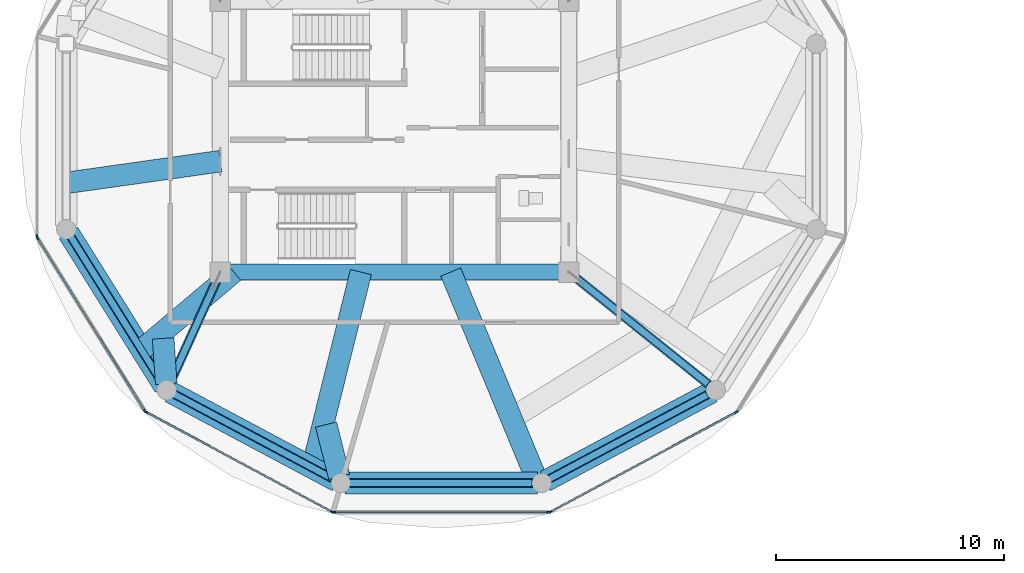
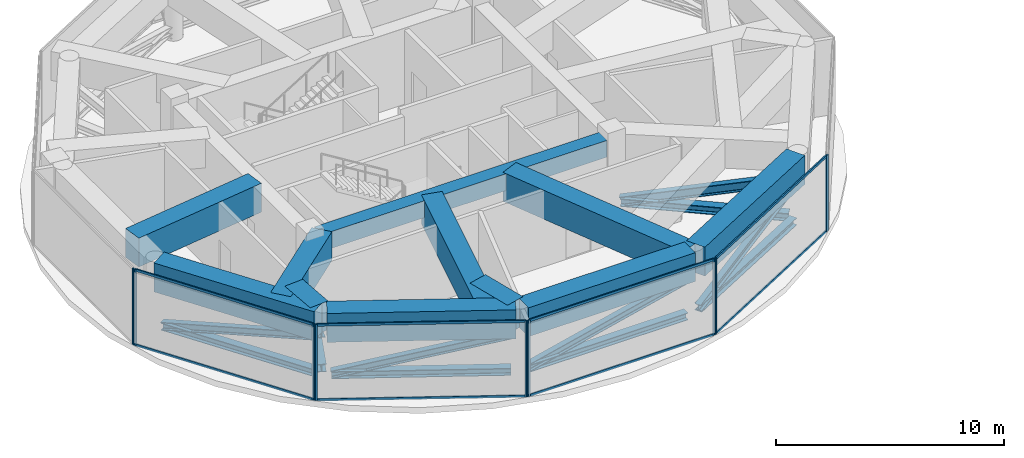
# One storey, part 2 of 23: 29 members, 11 beams, 5 elements without a shape of their own.
"""IFC4 building model written with IfcOpenShell, lengths in metres."""

from ifc_helpers import new_model, si_unit, direction, frame, origin, origin_2d, place, context, subcontext, project, spatial, rectangle, i_section, extrude, source, transform, mapped, material, layer, layer_set, material_profile, profile_set, type_object, type_shapes, element, aggregate, save


model = new_model("IFC4")

# Units and contexts
model_context = context("Model", 3, precision=1e-05, world=origin(), true_north=direction((0.0, 1.0)))
body_context = subcontext(model_context, "Body", "Model", "MODEL_VIEW")
ifc_project = project(units=[si_unit("LENGTHUNIT", "METRE"), si_unit("AREAUNIT", "SQUARE_METRE"), si_unit("VOLUMEUNIT", "CUBIC_METRE"), si_unit("PLANEANGLEUNIT", "RADIAN"), si_unit("MASSUNIT", "GRAM", prefix="KILO")], contexts=[model_context])

# Site, building, storey
site_placement = place(None, origin())
site = spatial("IfcSite", under=ifc_project, at=site_placement, CompositionType="ELEMENT")
building_placement = place(site_placement, origin())
building = spatial("IfcBuilding", under=site, at=building_placement, Name="Norrkilde Senior Care Towers", CompositionType="ELEMENT")
storey_placement = place(building_placement, frame((0.0, 0.0, 129.800048828125)))
storey = spatial("IfcBuildingStorey", under=building, at=storey_placement, Name="L40", CompositionType="ELEMENT", Elevation=129.800048828125)

# Beams
ifc_material_1 = material(Name="Concrete C60/75", Category="concrete")
ifc_material_profile_1 = material_profile(ifc_material_1, rectangle(XDim=0.699951171875, YDim=0.89990234375, at=origin_2d()), Name="RC BM 700x900")
ifc_profile_set_1 = profile_set([ifc_material_profile_1], Name="Concrete C60/75")
beam_type_1 = type_object("IfcBeamType", Name="Core Coupling Girder 700x900", PredefinedType="USERDEFINED", material=ifc_profile_set_1)
shared_shape_1 = source(origin(), body_context, "Body", "SweptSolid", [
    extrude(rectangle(XDim=0.699951171875, YDim=0.89990234375, at=origin_2d()), origin(), (0.0, 0.0, 1.0), 14.43994140625),
])
type_shapes(beam_type_1, [shared_shape_1])
beam_1_placement = place(storey_placement, frame((-35.219970703125, -5.949951171875, 3.6298828125), z_axis=(1.0, 0.0, 0.0), x_axis=(0.0, 1.0, 0.0)))
element("IfcBeam", 1, at=beam_1_placement, inside=storey, type_object=beam_type_1, Name="L40 Core W S Coupling Girder", ObjectType="GIRDER", PredefinedType="USERDEFINED", context=body_context, shape_type="MappedRepresentation", body=[
    mapped(shared_shape_1, transform((0.0, 0.0, 0.0), x_axis=(1.0, 0.0, 0.0), y_axis=(0.0, 1.0, 0.0), z_axis=(0.0, 0.0, 1.0), scale=1.0)),
])
ifc_material_profile_2 = material_profile(ifc_material_1, rectangle(XDim=0.949951171875, YDim=1.550048828125, at=origin_2d()), Name="RC TG 950x1550")
ifc_profile_set_2 = profile_set([ifc_material_profile_2], Name="Concrete C60/75")
beam_type_2 = type_object("IfcBeamType", Name="Transfer Girder Zone Shift 950x1550", PredefinedType="USERDEFINED", material=ifc_profile_set_2)
shared_shape_2 = source(origin(), body_context, "Body", "SweptSolid", [
    extrude(rectangle(XDim=0.949951171875, YDim=1.550048828125, at=origin_2d()), origin(), (0.0, 0.0, 1.0), 8.302490234375),
])
for number, where, z_axis, x_axis, name in (
    (2, (-37.847412109375, -11.2216796875, 3.304931640625), (0.882355383182, -0.470583656504, 0.0), (0.470583656504, 0.882355383182, 0.0), "L40 Drum W Zone Ring Transfer Girder 08"),
    (3, (-21.37841796875, -15.128662109375, 3.304931640625), (0.882355383182, 0.470583656504, 0.0), (-0.470583656504, 0.882355383182, 0.0), "L40 Drum W Zone Ring Transfer Girder 10"),
):
    element("IfcBeam", number, at=place(storey_placement, frame(where, z_axis=z_axis, x_axis=x_axis)), inside=storey, type_object=beam_type_2, Name=name, ObjectType="GIRDER", PredefinedType="USERDEFINED", context=body_context, shape_type="MappedRepresentation", body=[
        mapped(shared_shape_2, transform((0.0, 0.0, 0.0), x_axis=(1.0, 0.0, 0.0), y_axis=(0.0, 1.0, 0.0), z_axis=(0.0, 0.0, 1.0), scale=1.0)),
    ])
shared_shape_3 = source(origin(), body_context, "Body", "SweptSolid", [
    extrude(rectangle(XDim=0.949951171875, YDim=1.550048828125, at=origin_2d()), origin(), (0.0, 0.0, 1.0), 8.4658203125),
])
beam_2_placement = place(storey_placement, frame((-30.182861328125, -15.21337890625, 3.304931640625), z_axis=(1.0, 0.0, 0.0), x_axis=(0.0, 1.0, 0.0)))
element("IfcBeam", 4, at=beam_2_placement, inside=storey, type_object=beam_type_2, Name="L40 Drum W Zone Ring Transfer Girder 09", ObjectType="GIRDER", PredefinedType="USERDEFINED", context=body_context, shape_type="MappedRepresentation", body=[
    mapped(shared_shape_3, transform((0.0, 0.0, 0.0), x_axis=(1.0, 0.0, 0.0), y_axis=(0.0, 1.0, 0.0), z_axis=(0.0, 0.0, 1.0), scale=1.0)),
])
shared_shape_4 = source(origin(), body_context, "Body", "SweptSolid", [
    extrude(rectangle(XDim=0.949951171875, YDim=1.550048828125, at=origin_2d()), origin(), (0.0, 0.0, 1.0), 7.96630859375),
])
beam_3_placement = place(storey_placement, frame((-42.32373046875, -4.22900390625, 3.304931640625), z_axis=(0.530004449515, -0.847994860535, 0.0), x_axis=(0.847994860535, 0.530004449515, 0.0)))
element("IfcBeam", 5, at=beam_3_placement, inside=storey, type_object=beam_type_2, Name="L40 Drum W Zone Ring Transfer Girder 07", ObjectType="GIRDER", PredefinedType="USERDEFINED", context=body_context, shape_type="MappedRepresentation", body=[
    mapped(shared_shape_4, transform((0.0, 0.0, 0.0), x_axis=(1.0, 0.0, 0.0), y_axis=(0.0, 1.0, 0.0), z_axis=(0.0, 0.0, 1.0), scale=1.0)),
])
shared_shape_5 = source(origin(), body_context, "Body", "SweptSolid", [
    extrude(rectangle(XDim=0.949951171875, YDim=1.550048828125, at=origin_2d()), origin(), (0.0, 0.0, 1.0), 6.836181640625),
])
beam_4_placement = place(storey_placement, frame((-35.64990234375, -1.079833984375, 3.304931640625), z_axis=(-0.990187355889, -0.139746199365, 0.0), x_axis=(0.139746199365, -0.990187355889, 0.0)))
element("IfcBeam", 6, at=beam_4_placement, inside=storey, type_object=beam_type_2, Name="L40 Drum W Zone Transfer Girder 07", ObjectType="GIRDER", PredefinedType="USERDEFINED", context=body_context, shape_type="MappedRepresentation", body=[
    mapped(shared_shape_5, transform((0.0, 0.0, 0.0), x_axis=(1.0, 0.0, 0.0), y_axis=(0.0, 1.0, 0.0), z_axis=(0.0, 0.0, 1.0), scale=1.0)),
])
shared_shape_6 = source(origin(), body_context, "Body", "SweptSolid", [
    extrude(rectangle(XDim=0.949951171875, YDim=1.550048828125, at=origin_2d()), origin(), (0.0, 0.0, 1.0), 5.302001953125),
])
beam_5_placement = place(storey_placement, frame((-35.058349609375, -5.949951171875, 3.304931640625), z_axis=(-0.764555247577, -0.644558200167, 0.0), x_axis=(0.644558200167, -0.764555247577, 0.0)))
element("IfcBeam", 7, at=beam_5_placement, inside=storey, type_object=beam_type_2, Name="L40 Drum W Zone Transfer Girder 08", ObjectType="GIRDER", PredefinedType="USERDEFINED", context=body_context, shape_type="MappedRepresentation", body=[
    mapped(shared_shape_6, transform((0.0, 0.0, 0.0), x_axis=(1.0, 0.0, 0.0), y_axis=(0.0, 1.0, 0.0), z_axis=(0.0, 0.0, 1.0), scale=1.0)),
])
shared_shape_7 = source(origin(), body_context, "Body", "SweptSolid", [
    extrude(rectangle(XDim=0.949951171875, YDim=1.550048828125, at=origin_2d()), origin(), (0.0, 0.0, 1.0), 1.99951171875),
])
beam_6_placement = place(storey_placement, frame((-38.163330078125, -8.863037109375, 3.304931640625), z_axis=(0.068990670425, -0.99761730508, 0.0), x_axis=(0.99761730508, 0.068990670425, 0.0)))
element("IfcBeam", 8, at=beam_6_placement, inside=storey, type_object=beam_type_2, Name="L40 Drum W Zone Star Transfer Tie 08", ObjectType="GIRDER", PredefinedType="USERDEFINED", context=body_context, shape_type="MappedRepresentation", body=[
    mapped(shared_shape_7, transform((0.0, 0.0, 0.0), x_axis=(1.0, 0.0, 0.0), y_axis=(0.0, 1.0, 0.0), z_axis=(0.0, 0.0, 1.0), scale=1.0)),
])
shared_shape_8 = source(origin(), body_context, "Body", "SweptSolid", [
    extrude(rectangle(XDim=0.949951171875, YDim=1.550048828125, at=origin_2d()), origin(), (0.0, 0.0, 1.0), 8.8564453125),
])
beam_7_placement = place(storey_placement, frame((-29.4794921875, -5.949951171875, 3.304931640625), z_axis=(-0.241316026842, -0.970446585439, 0.0), x_axis=(0.970446585439, -0.241316026842, 0.0)))
element("IfcBeam", 9, at=beam_7_placement, inside=storey, type_object=beam_type_2, Name="L40 Drum W Zone Transfer Girder 09", ObjectType="GIRDER", PredefinedType="USERDEFINED", context=body_context, shape_type="MappedRepresentation", body=[
    mapped(shared_shape_8, transform((0.0, 0.0, 0.0), x_axis=(1.0, 0.0, 0.0), y_axis=(0.0, 1.0, 0.0), z_axis=(0.0, 0.0, 1.0), scale=1.0)),
])
shared_shape_9 = source(origin(), body_context, "Body", "SweptSolid", [
    extrude(rectangle(XDim=0.949951171875, YDim=1.550048828125, at=origin_2d()), origin(), (0.0, 0.0, 1.0), 2.366455078125),
])
beam_8_placement = place(storey_placement, frame((-31.009033203125, -12.64697265625, 3.304931640625), z_axis=(0.244185875604, -0.969728445574, 0.0), x_axis=(0.969728445574, 0.244185875604, 0.0)))
element("IfcBeam", 10, at=beam_8_placement, inside=storey, type_object=beam_type_2, Name="L40 Drum W Zone Star Transfer Tie 09", ObjectType="GIRDER", PredefinedType="USERDEFINED", context=body_context, shape_type="MappedRepresentation", body=[
    mapped(shared_shape_9, transform((0.0, 0.0, 0.0), x_axis=(1.0, 0.0, 0.0), y_axis=(0.0, 1.0, 0.0), z_axis=(0.0, 0.0, 1.0), scale=1.0)),
])
shared_shape_10 = source(origin(), body_context, "Body", "SweptSolid", [
    extrude(rectangle(XDim=0.949951171875, YDim=1.550048828125, at=origin_2d()), origin(), (0.0, 0.0, 1.0), 10.027099609375),
])
type_shapes(beam_type_2, [shared_shape_2, shared_shape_3, shared_shape_4, shared_shape_5, shared_shape_6, shared_shape_7, shared_shape_8, shared_shape_9, shared_shape_10])
beam_9_placement = place(storey_placement, frame((-25.534912109375, -5.949951171875, 3.304931640625), z_axis=(0.382756062331, -0.923849444849, 0.0), x_axis=(0.923849444849, 0.382756062331, 0.0)))
element("IfcBeam", 11, at=beam_9_placement, inside=storey, type_object=beam_type_2, Name="L40 Drum W Zone Transfer Girder 10", ObjectType="GIRDER", PredefinedType="USERDEFINED", context=body_context, shape_type="MappedRepresentation", body=[
    mapped(shared_shape_10, transform((0.0, 0.0, 0.0), x_axis=(1.0, 0.0, 0.0), y_axis=(0.0, 1.0, 0.0), z_axis=(0.0, 0.0, 1.0), scale=1.0)),
])

# Members
ifc_material_2 = material(Name="Steel S355", Category="steel")
ifc_material_profile_3 = material_profile(ifc_material_2, i_section(OverallWidth=0.300048828125, OverallDepth=0.39990234375, WebThickness=0.013427734375, FlangeThickness=0.02392578125, FilletRadius=0.027099609375, at=origin_2d()), Name="HEB 400")
ifc_profile_set_3 = profile_set([ifc_material_profile_3], Name="Steel S355")
member_type_1 = type_object("IfcMemberType", Name="Belt Truss Diagonal HEB400", PredefinedType="BRACE", material=ifc_profile_set_3)
shared_shape_11 = source(origin(), body_context, "Body", "SweptSolid", [
    extrude(i_section(OverallWidth=0.300048828125, OverallDepth=0.39990234375, WebThickness=0.013427734375, FlangeThickness=0.02392578125, FilletRadius=0.027099609375, at=origin_2d()), origin(), (0.0, 0.0, 1.0), 7.798828125),
])
member_1_placement = place(storey_placement, frame((-42.215087890625, -4.40283203125, 0.550048828125), z_axis=(0.513520239082, -0.821619860701, 0.247462660933), x_axis=(0.847994673706, 0.530004748437, 0.0)))
element("IfcMember", 12, at=member_1_placement, inside=storey, type_object=member_type_1, Name="L40 Drum W Belt Truss Diagonal 07", PredefinedType="BRACE", context=body_context, shape_type="MappedRepresentation", body=[
    mapped(shared_shape_11, transform((0.0, 0.0, 0.0), x_axis=(1.0, 0.0, 0.0), y_axis=(0.0, 1.0, 0.0), z_axis=(0.0, 0.0, 1.0), scale=1.0)),
])
ifc_material_profile_4 = material_profile(ifc_material_2, i_section(OverallWidth=0.3740234375, OverallDepth=0.386962890625, WebThickness=0.01611328125, FlangeThickness=0.027099609375, FilletRadius=0.014892578125, at=origin_2d()), Name="HD 360x262")
ifc_profile_set_4 = profile_set([ifc_material_profile_4], Name="Steel S355")
member_type_2 = type_object("IfcMemberType", Name="Belt Truss Ring Chord HD360x262", PredefinedType="CHORD", material=ifc_profile_set_4)
shared_shape_12 = source(origin(), body_context, "Body", "SweptSolid", [
    extrude(i_section(OverallWidth=0.3740234375, OverallDepth=0.386962890625, WebThickness=0.01611328125, FlangeThickness=0.027099609375, FilletRadius=0.014892578125, at=origin_2d()), origin(), (0.0, 0.0, 1.0), 7.892333984375),
])
for number, where, z_axis, x_axis, name in (
    (13, (-37.66650390625, -11.318115234375, 0.550048828125), (0.882350372282, -0.47059305194, 0.0), (0.47059305194, 0.882350372282, 0.0), "L40 Drum W Belt Truss Bottom Chord 08"),
    (14, (-21.197509765625, -15.0322265625, 0.550048828125), (0.882350372282, 0.47059305194, 0.0), (-0.47059305194, 0.882350372282, 0.0), "L40 Drum W Belt Truss Bottom Chord 10"),
):
    element("IfcMember", number, at=place(storey_placement, frame(where, z_axis=z_axis, x_axis=x_axis)), inside=storey, type_object=member_type_2, Name=name, PredefinedType="CHORD", context=body_context, shape_type="MappedRepresentation", body=[
        mapped(shared_shape_12, transform((0.0, 0.0, 0.0), x_axis=(1.0, 0.0, 0.0), y_axis=(0.0, 1.0, 0.0), z_axis=(0.0, 0.0, 1.0), scale=1.0)),
    ])
shared_shape_13 = source(origin(), body_context, "Body", "SweptSolid", [
    extrude(i_section(OverallWidth=0.300048828125, OverallDepth=0.39990234375, WebThickness=0.013427734375, FlangeThickness=0.02392578125, FilletRadius=0.027099609375, at=origin_2d()), origin(), (0.0, 0.0, 1.0), 8.125),
])
for number, where, z_axis, x_axis, name in (
    (15, (-37.66650390625, -11.318115234375, 0.550048828125), (0.85709731652, -0.457124578468, 0.237531702675), (0.47059305194, 0.882350372282, 0.0), "L40 Drum W Belt Truss Diagonal 08"),
    (16, (-21.197509765625, -15.0322265625, 0.550048828125), (0.85709731652, 0.457124578468, 0.237531702675), (-0.47059305194, 0.882350372282, 0.0), "L40 Drum W Belt Truss Diagonal 10"),
):
    element("IfcMember", number, at=place(storey_placement, frame(where, z_axis=z_axis, x_axis=x_axis)), inside=storey, type_object=member_type_1, Name=name, PredefinedType="BRACE", context=body_context, shape_type="MappedRepresentation", body=[
        mapped(shared_shape_13, transform((0.0, 0.0, 0.0), x_axis=(1.0, 0.0, 0.0), y_axis=(0.0, 1.0, 0.0), z_axis=(0.0, 0.0, 1.0), scale=1.0)),
    ])
shared_shape_14 = source(origin(), body_context, "Body", "SweptSolid", [
    extrude(i_section(OverallWidth=0.3740234375, OverallDepth=0.386962890625, WebThickness=0.01611328125, FlangeThickness=0.027099609375, FilletRadius=0.014892578125, at=origin_2d()), origin(), (0.0, 0.0, 1.0), 8.0556640625),
])
member_2_placement = place(storey_placement, frame((-29.977783203125, -15.21337890625, 0.550048828125), z_axis=(1.0, 0.0, 0.0), x_axis=(0.0, 1.0, 0.0)))
element("IfcMember", 17, at=member_2_placement, inside=storey, type_object=member_type_2, Name="L40 Drum W Belt Truss Bottom Chord 09", PredefinedType="CHORD", context=body_context, shape_type="MappedRepresentation", body=[
    mapped(shared_shape_14, transform((0.0, 0.0, 0.0), x_axis=(1.0, 0.0, 0.0), y_axis=(0.0, 1.0, 0.0), z_axis=(0.0, 0.0, 1.0), scale=1.0)),
])
shared_shape_15 = source(origin(), body_context, "Body", "SweptSolid", [
    extrude(i_section(OverallWidth=0.300048828125, OverallDepth=0.39990234375, WebThickness=0.013427734375, FlangeThickness=0.02392578125, FilletRadius=0.027099609375, at=origin_2d()), origin(), (0.0, 0.0, 1.0), 8.28369140625),
])
type_shapes(member_type_1, [shared_shape_11, shared_shape_13, shared_shape_15])
member_3_placement = place(storey_placement, frame((-29.977783203125, -15.21337890625, 0.550048828125), z_axis=(0.972481125687, 0.0, 0.232981673492), x_axis=(0.0, 1.0, 0.0)))
element("IfcMember", 18, at=member_3_placement, inside=storey, type_object=member_type_1, Name="L40 Drum W Belt Truss Diagonal 09", PredefinedType="BRACE", context=body_context, shape_type="MappedRepresentation", body=[
    mapped(shared_shape_15, transform((0.0, 0.0, 0.0), x_axis=(1.0, 0.0, 0.0), y_axis=(0.0, 1.0, 0.0), z_axis=(0.0, 0.0, 1.0), scale=1.0)),
])
shared_shape_16 = source(origin(), body_context, "Body", "SweptSolid", [
    extrude(i_section(OverallWidth=0.3740234375, OverallDepth=0.386962890625, WebThickness=0.01611328125, FlangeThickness=0.027099609375, FilletRadius=0.014892578125, at=origin_2d()), origin(), (0.0, 0.0, 1.0), 7.556396484375),
])
type_shapes(member_type_2, [shared_shape_12, shared_shape_14, shared_shape_16])
member_4_placement = place(storey_placement, frame((-42.215087890625, -4.40283203125, 0.550048828125), z_axis=(0.530004748437, -0.847994673706, 0.0), x_axis=(0.847994673706, 0.530004748437, 0.0)))
element("IfcMember", 19, at=member_4_placement, inside=storey, type_object=member_type_2, Name="L40 Drum W Belt Truss Bottom Chord 07", PredefinedType="CHORD", context=body_context, shape_type="MappedRepresentation", body=[
    mapped(shared_shape_16, transform((0.0, 0.0, 0.0), x_axis=(1.0, 0.0, 0.0), y_axis=(0.0, 1.0, 0.0), z_axis=(0.0, 0.0, 1.0), scale=1.0)),
])
ifc_material_profile_5 = material_profile(ifc_material_2, i_section(OverallWidth=0.402099609375, OverallDepth=0.419921875, WebThickness=0.02001953125, FlangeThickness=0.032958984375, FilletRadius=0.014892578125, at=origin_2d()), Name="HD 400x347")
ifc_profile_set_5 = profile_set([ifc_material_profile_5], Name="Steel S355")
member_type_3 = type_object("IfcMemberType", Name="Outrigger Truss Chord HD400x347", PredefinedType="CHORD", material=ifc_profile_set_5)
shared_shape_17 = source(origin(), body_context, "Body", "SweptSolid", [
    extrude(i_section(OverallWidth=0.402099609375, OverallDepth=0.419921875, WebThickness=0.02001953125, FlangeThickness=0.032958984375, FilletRadius=0.014892578125, at=origin_2d()), origin(), (0.0, 0.0, 1.0), 4.902099609375),
])
member_5_placement = place(storey_placement, frame((-35.819580078125, -6.3232421875, 0.550048828125), z_axis=(-0.413574036598, -0.910470491697, 0.0), x_axis=(0.910470491697, -0.413574036598, 0.0)))
element("IfcMember", 20, at=member_5_placement, inside=storey, type_object=member_type_3, Name="L40 Drum W Outrigger Chord 1", PredefinedType="CHORD", context=body_context, shape_type="MappedRepresentation", body=[
    mapped(shared_shape_17, transform((0.0, 0.0, 0.0), x_axis=(1.0, 0.0, 0.0), y_axis=(0.0, 1.0, 0.0), z_axis=(0.0, 0.0, 1.0), scale=1.0)),
])
ifc_material_profile_6 = material_profile(ifc_material_2, i_section(OverallWidth=0.300048828125, OverallDepth=0.5, WebThickness=0.014404296875, FlangeThickness=0.028076171875, FilletRadius=0.027099609375, at=origin_2d()), Name="HEB 500")
ifc_profile_set_6 = profile_set([ifc_material_profile_6], Name="Steel S355")
member_type_4 = type_object("IfcMemberType", Name="Outrigger Truss Diagonal HEB500", PredefinedType="BRACE", material=ifc_profile_set_6)
shared_shape_18 = source(origin(), body_context, "Body", "SweptSolid", [
    extrude(i_section(OverallWidth=0.300048828125, OverallDepth=0.5, WebThickness=0.014404296875, FlangeThickness=0.028076171875, FilletRadius=0.027099609375, at=origin_2d()), origin(), (0.0, 0.0, 1.0), 5.268310546875),
])
member_6_placement = place(storey_placement, frame((-35.819580078125, -6.3232421875, 0.550048828125), z_axis=(-0.384823878835, -0.847177905707, 0.36633342512), x_axis=(0.910470491697, -0.413574036598, 0.0)))
element("IfcMember", 21, at=member_6_placement, inside=storey, type_object=member_type_4, Name="L40 Drum W Outrigger Diagonal 1", PredefinedType="BRACE", context=body_context, shape_type="MappedRepresentation", body=[
    mapped(shared_shape_18, transform((0.0, 0.0, 0.0), x_axis=(1.0, 0.0, 0.0), y_axis=(0.0, 1.0, 0.0), z_axis=(0.0, 0.0, 1.0), scale=1.0)),
])
shared_shape_19 = source(origin(), body_context, "Body", "SweptSolid", [
    extrude(i_section(OverallWidth=0.402099609375, OverallDepth=0.419921875, WebThickness=0.02001953125, FlangeThickness=0.032958984375, FilletRadius=0.014892578125, at=origin_2d()), origin(), (0.0, 0.0, 1.0), 7.486572265625),
])
type_shapes(member_type_3, [shared_shape_17, shared_shape_19])
member_7_placement = place(storey_placement, frame((-20.0302734375, -6.206787109375, 0.550048828125), z_axis=(0.779575464722, -0.626308306511, 0.0), x_axis=(0.626308306511, 0.779575464722, 0.0)))
element("IfcMember", 22, at=member_7_placement, inside=storey, type_object=member_type_3, Name="L40 Drum W Outrigger Chord 2", PredefinedType="CHORD", context=body_context, shape_type="MappedRepresentation", body=[
    mapped(shared_shape_19, transform((0.0, 0.0, 0.0), x_axis=(1.0, 0.0, 0.0), y_axis=(0.0, 1.0, 0.0), z_axis=(0.0, 0.0, 1.0), scale=1.0)),
])
shared_shape_20 = source(origin(), body_context, "Body", "SweptSolid", [
    extrude(i_section(OverallWidth=0.300048828125, OverallDepth=0.5, WebThickness=0.014404296875, FlangeThickness=0.028076171875, FilletRadius=0.027099609375, at=origin_2d()), origin(), (0.0, 0.0, 1.0), 7.7314453125),
])
type_shapes(member_type_4, [shared_shape_18, shared_shape_20])
member_8_placement = place(storey_placement, frame((-20.0302734375, -6.206787109375, 0.550048828125), z_axis=(0.754896761512, -0.60648151935, 0.249621806231), x_axis=(0.626308306511, 0.779575464722, 0.0)))
element("IfcMember", 23, at=member_8_placement, inside=storey, type_object=member_type_4, Name="L40 Drum W Outrigger Diagonal 2", PredefinedType="BRACE", context=body_context, shape_type="MappedRepresentation", body=[
    mapped(shared_shape_20, transform((0.0, 0.0, 0.0), x_axis=(1.0, 0.0, 0.0), y_axis=(0.0, 1.0, 0.0), z_axis=(0.0, 0.0, 1.0), scale=1.0)),
])

# Curtain wall, member
ifc_material_3 = material(Name="Triple Low-E Insulated Glazing", Category="glass")
ifc_layer = layer(ifc_material_3, 0.18505859375)
ifc_layer_set = layer_set([ifc_layer], Name="Triple Low-E Insulated Glazing")
curtain_wall_type = type_object("IfcCurtainWallType", Name="CW6 Zone 4 Crown Pavilion Curtain Wall", PredefinedType="NOTDEFINED", material=ifc_layer_set)
curtain_wall_1_placement = place(storey_placement, origin())
curtain_wall_1 = element("IfcCurtainWall", 24, at=curtain_wall_1_placement, inside=storey, type_object=curtain_wall_type, Name="L40 Drum W Curtain Wall 05", PredefinedType="NOTDEFINED")
ifc_material_4 = material(Name="Anodised Aluminium", Category="aluminium")
ifc_material_profile_7 = material_profile(ifc_material_4, rectangle(XDim=0.070068359375, YDim=0.169921875, at=origin_2d()), Name="ALU MULL 70x170")
ifc_profile_set_7 = profile_set([ifc_material_profile_7], Name="Anodised Aluminium")
member_type_5 = type_object("IfcMemberType", Name="Curtain Wall Mullion Heavy 70x170", PredefinedType="MULLION", material=ifc_profile_set_7)
shared_shape_21 = source(origin(), body_context, "Body", "SweptSolid", [
    extrude(rectangle(XDim=0.070068359375, YDim=0.169921875, at=origin_2d()), origin(), (0.0, 0.0, 1.0), 4.079833984375),
])
type_shapes(member_type_5, [shared_shape_21])
member_9_placement = place(storey_placement, frame((-43.70361328125, -4.3857421875, 0.0), z_axis=(0.0, 0.0, 1.0), x_axis=(-1.0, 0.0, 0.0)))
member_9 = element("IfcMember", 25, at=member_9_placement, type_object=member_type_5, Name="CW-6 mullion 1", PredefinedType="MULLION", context=body_context, shape_type="MappedRepresentation", body=[
    mapped(shared_shape_21, transform((0.0, 0.0, 0.0), x_axis=(1.0, 0.0, 0.0), y_axis=(0.0, 1.0, 0.0), z_axis=(0.0, 0.0, 1.0), scale=1.0)),
])
aggregate(curtain_wall_1, [member_9])

# Curtain wall, members
curtain_wall_2_placement = place(storey_placement, origin())
curtain_wall_2 = element("IfcCurtainWall", 26, at=curtain_wall_2_placement, inside=storey, type_object=curtain_wall_type, Name="L40 Drum W Curtain Wall 06", PredefinedType="NOTDEFINED")
member_10_placement = place(storey_placement, frame((-38.965087890625, -12.047607421875, 0.0), z_axis=(0.0, 0.0, 1.0), x_axis=(-0.849410171862, -0.527733228002, 0.0)))
member_10 = element("IfcMember", 27, at=member_10_placement, type_object=member_type_5, Name="CW-6 mullion 1", PredefinedType="MULLION", context=body_context, shape_type="MappedRepresentation", body=[
    mapped(shared_shape_21, transform((0.0, 0.0, 0.0), x_axis=(1.0, 0.0, 0.0), y_axis=(0.0, 1.0, 0.0), z_axis=(0.0, 0.0, 1.0), scale=1.0)),
])
member_11_placement = place(storey_placement, frame((-43.685302734375, -4.450439453125, 0.0), z_axis=(0.0, 0.0, 1.0), x_axis=(-0.849410171862, -0.527733228002, 0.0)))
member_11 = element("IfcMember", 28, at=member_11_placement, type_object=member_type_5, Name="CW-6 mullion 2", PredefinedType="MULLION", context=body_context, shape_type="MappedRepresentation", body=[
    mapped(shared_shape_21, transform((0.0, 0.0, 0.0), x_axis=(1.0, 0.0, 0.0), y_axis=(0.0, 1.0, 0.0), z_axis=(0.0, 0.0, 1.0), scale=1.0)),
])

curtain_wall_3_placement = place(storey_placement, origin())
curtain_wall_3 = element("IfcCurtainWall", 29, at=curtain_wall_3_placement, inside=storey, type_object=curtain_wall_type, Name="L40 Drum W Curtain Wall 07", PredefinedType="NOTDEFINED")
member_12_placement = place(storey_placement, frame((-30.738037109375, -16.4814453125, 0.0), z_axis=(0.0, 0.0, 1.0), x_axis=(-0.472769402511, -0.881186184668, 0.0)))
member_12 = element("IfcMember", 30, at=member_12_placement, type_object=member_type_5, Name="CW-6 mullion 1", PredefinedType="MULLION", context=body_context, shape_type="MappedRepresentation", body=[
    mapped(shared_shape_21, transform((0.0, 0.0, 0.0), x_axis=(1.0, 0.0, 0.0), y_axis=(0.0, 1.0, 0.0), z_axis=(0.0, 0.0, 1.0), scale=1.0)),
])
member_13_placement = place(storey_placement, frame((-38.915771484375, -12.093994140625, 0.0), z_axis=(0.0, 0.0, 1.0), x_axis=(-0.472769402511, -0.881186184668, 0.0)))
member_13 = element("IfcMember", 31, at=member_13_placement, type_object=member_type_5, Name="CW-6 mullion 2", PredefinedType="MULLION", context=body_context, shape_type="MappedRepresentation", body=[
    mapped(shared_shape_21, transform((0.0, 0.0, 0.0), x_axis=(1.0, 0.0, 0.0), y_axis=(0.0, 1.0, 0.0), z_axis=(0.0, 0.0, 1.0), scale=1.0)),
])

curtain_wall_4_placement = place(storey_placement, origin())
curtain_wall_4 = element("IfcCurtainWall", 32, at=curtain_wall_4_placement, inside=storey, type_object=curtain_wall_type, Name="L40 Drum W Curtain Wall 08", PredefinedType="NOTDEFINED")
member_14_placement = place(storey_placement, frame((-21.22802734375, -16.498046875, 0.0), z_axis=(0.0, 0.0, 1.0), x_axis=(0.0, -1.0, 0.0)))
member_14 = element("IfcMember", 33, at=member_14_placement, type_object=member_type_5, Name="CW-6 mullion 1", PredefinedType="MULLION", context=body_context, shape_type="MappedRepresentation", body=[
    mapped(shared_shape_21, transform((0.0, 0.0, 0.0), x_axis=(1.0, 0.0, 0.0), y_axis=(0.0, 1.0, 0.0), z_axis=(0.0, 0.0, 1.0), scale=1.0)),
])
member_15_placement = place(storey_placement, frame((-30.672119140625, -16.498046875, 0.0), z_axis=(0.0, 0.0, 1.0), x_axis=(0.0, -1.0, 0.0)))
member_15 = element("IfcMember", 34, at=member_15_placement, type_object=member_type_5, Name="CW-6 mullion 2", PredefinedType="MULLION", context=body_context, shape_type="MappedRepresentation", body=[
    mapped(shared_shape_21, transform((0.0, 0.0, 0.0), x_axis=(1.0, 0.0, 0.0), y_axis=(0.0, 1.0, 0.0), z_axis=(0.0, 0.0, 1.0), scale=1.0)),
])

curtain_wall_5_placement = place(storey_placement, origin())
curtain_wall_5 = element("IfcCurtainWall", 35, at=curtain_wall_5_placement, inside=storey, type_object=curtain_wall_type, Name="L40 Drum W Curtain Wall 09", PredefinedType="NOTDEFINED")
member_16_placement = place(storey_placement, frame((-12.984130859375, -12.093994140625, 0.0), z_axis=(0.0, 0.0, 1.0), x_axis=(0.472769402511, -0.881186184668, 0.0)))
member_16 = element("IfcMember", 36, at=member_16_placement, type_object=member_type_5, Name="CW-6 mullion 1", PredefinedType="MULLION", context=body_context, shape_type="MappedRepresentation", body=[
    mapped(shared_shape_21, transform((0.0, 0.0, 0.0), x_axis=(1.0, 0.0, 0.0), y_axis=(0.0, 1.0, 0.0), z_axis=(0.0, 0.0, 1.0), scale=1.0)),
])
member_17_placement = place(storey_placement, frame((-21.162109375, -16.4814453125, 0.0), z_axis=(0.0, 0.0, 1.0), x_axis=(0.472769402511, -0.881186184668, 0.0)))
member_17 = element("IfcMember", 37, at=member_17_placement, type_object=member_type_5, Name="CW-6 mullion 2", PredefinedType="MULLION", context=body_context, shape_type="MappedRepresentation", body=[
    mapped(shared_shape_21, transform((0.0, 0.0, 0.0), x_axis=(1.0, 0.0, 0.0), y_axis=(0.0, 1.0, 0.0), z_axis=(0.0, 0.0, 1.0), scale=1.0)),
])

# Member
ifc_material_profile_8 = material_profile(ifc_material_4, rectangle(XDim=0.06494140625, YDim=0.1298828125, at=origin_2d()), Name="ALU TRAN 65x130")
ifc_profile_set_8 = profile_set([ifc_material_profile_8], Name="Anodised Aluminium")
member_type_6 = type_object("IfcMemberType", Name="Curtain Wall Transom Heavy 65x130", PredefinedType="USERDEFINED", material=ifc_profile_set_8)
shared_shape_22 = source(origin(), body_context, "Body", "SweptSolid", [
    extrude(rectangle(XDim=0.06494140625, YDim=0.1298828125, at=origin_2d()), origin(), (0.0, 0.0, 1.0), 8.874267578125),
])
member_18_placement = place(storey_placement, frame((-38.983642578125, -12.017822265625, 0.032470703125), z_axis=(-0.527724406415, 0.849415652595, 0.0), x_axis=(-0.849415652595, -0.527724406415, 0.0)))
member_18 = element("IfcMember", 38, at=member_18_placement, type_object=member_type_6, Name="CW-6 transom 1.1", ObjectType="TRANSOM", PredefinedType="USERDEFINED", context=body_context, shape_type="MappedRepresentation", body=[
    mapped(shared_shape_22, transform((0.0, 0.0, 0.0), x_axis=(1.0, 0.0, 0.0), y_axis=(0.0, 1.0, 0.0), z_axis=(0.0, 0.0, 1.0), scale=1.0)),
])

member_19_placement = place(storey_placement, frame((-38.983642578125, -12.017822265625, 4.04736328125), z_axis=(-0.527724406415, 0.849415652595, 0.0), x_axis=(-0.849415652595, -0.527724406415, 0.0)))
member_19 = element("IfcMember", 39, at=member_19_placement, type_object=member_type_6, Name="CW-6 transom 1.2", ObjectType="TRANSOM", PredefinedType="USERDEFINED", context=body_context, shape_type="MappedRepresentation", body=[
    mapped(shared_shape_22, transform((0.0, 0.0, 0.0), x_axis=(1.0, 0.0, 0.0), y_axis=(0.0, 1.0, 0.0), z_axis=(0.0, 0.0, 1.0), scale=1.0)),
])

aggregate(curtain_wall_2, [member_10, member_11, member_18, member_19])

shared_shape_23 = source(origin(), body_context, "Body", "SweptSolid", [
    extrude(rectangle(XDim=0.06494140625, YDim=0.1298828125, at=origin_2d()), origin(), (0.0, 0.0, 1.0), 9.210205078125),
])
member_20_placement = place(storey_placement, frame((-13.01513671875, -12.110595703125, 0.032470703125), z_axis=(-0.881190165338, -0.472761982938, 0.0), x_axis=(0.472761982938, -0.881190165338, 0.0)))
member_20 = element("IfcMember", 40, at=member_20_placement, type_object=member_type_6, Name="CW-6 transom 1.1", ObjectType="TRANSOM", PredefinedType="USERDEFINED", context=body_context, shape_type="MappedRepresentation", body=[
    mapped(shared_shape_23, transform((0.0, 0.0, 0.0), x_axis=(1.0, 0.0, 0.0), y_axis=(0.0, 1.0, 0.0), z_axis=(0.0, 0.0, 1.0), scale=1.0)),
])

member_21_placement = place(storey_placement, frame((-13.01513671875, -12.110595703125, 4.04736328125), z_axis=(-0.881190165338, -0.472761982938, 0.0), x_axis=(0.472761982938, -0.881190165338, 0.0)))
member_21 = element("IfcMember", 41, at=member_21_placement, type_object=member_type_6, Name="CW-6 transom 1.2", ObjectType="TRANSOM", PredefinedType="USERDEFINED", context=body_context, shape_type="MappedRepresentation", body=[
    mapped(shared_shape_23, transform((0.0, 0.0, 0.0), x_axis=(1.0, 0.0, 0.0), y_axis=(0.0, 1.0, 0.0), z_axis=(0.0, 0.0, 1.0), scale=1.0)),
])

aggregate(curtain_wall_5, [member_16, member_17, member_20, member_21])

shared_shape_24 = source(origin(), body_context, "Body", "SweptSolid", [
    extrude(rectangle(XDim=0.06494140625, YDim=0.1298828125, at=origin_2d()), origin(), (0.0, 0.0, 1.0), 9.374267578125),
])
member_22_placement = place(storey_placement, frame((-21.262939453125, -16.498046875, 0.032470703125), z_axis=(-1.0, 0.0, 0.0), x_axis=(0.0, -1.0, 0.0)))
member_22 = element("IfcMember", 42, at=member_22_placement, type_object=member_type_6, Name="CW-6 transom 1.1", ObjectType="TRANSOM", PredefinedType="USERDEFINED", context=body_context, shape_type="MappedRepresentation", body=[
    mapped(shared_shape_24, transform((0.0, 0.0, 0.0), x_axis=(1.0, 0.0, 0.0), y_axis=(0.0, 1.0, 0.0), z_axis=(0.0, 0.0, 1.0), scale=1.0)),
])

member_23_placement = place(storey_placement, frame((-21.262939453125, -16.498046875, 4.04736328125), z_axis=(-1.0, 0.0, 0.0), x_axis=(0.0, -1.0, 0.0)))
member_23 = element("IfcMember", 43, at=member_23_placement, type_object=member_type_6, Name="CW-6 transom 1.2", ObjectType="TRANSOM", PredefinedType="USERDEFINED", context=body_context, shape_type="MappedRepresentation", body=[
    mapped(shared_shape_24, transform((0.0, 0.0, 0.0), x_axis=(1.0, 0.0, 0.0), y_axis=(0.0, 1.0, 0.0), z_axis=(0.0, 0.0, 1.0), scale=1.0)),
])

aggregate(curtain_wall_4, [member_14, member_15, member_22, member_23])

shared_shape_25 = source(origin(), body_context, "Body", "SweptSolid", [
    extrude(rectangle(XDim=0.06494140625, YDim=0.1298828125, at=origin_2d()), origin(), (0.0, 0.0, 1.0), 9.21044921875),
])
type_shapes(member_type_6, [shared_shape_22, shared_shape_23, shared_shape_24, shared_shape_25])
member_24_placement = place(storey_placement, frame((-30.768798828125, -16.46484375, 0.032470703125), z_axis=(-0.881196089669, 0.472750940297, 0.0), x_axis=(-0.472750940297, -0.881196089669, 0.0)))
member_24 = element("IfcMember", 44, at=member_24_placement, type_object=member_type_6, Name="CW-6 transom 1.1", ObjectType="TRANSOM", PredefinedType="USERDEFINED", context=body_context, shape_type="MappedRepresentation", body=[
    mapped(shared_shape_25, transform((0.0, 0.0, 0.0), x_axis=(1.0, 0.0, 0.0), y_axis=(0.0, 1.0, 0.0), z_axis=(0.0, 0.0, 1.0), scale=1.0)),
])

member_25_placement = place(storey_placement, frame((-30.768798828125, -16.46484375, 4.04736328125), z_axis=(-0.881196089669, 0.472750940297, 0.0), x_axis=(-0.472750940297, -0.881196089669, 0.0)))
member_25 = element("IfcMember", 45, at=member_25_placement, type_object=member_type_6, Name="CW-6 transom 1.2", ObjectType="TRANSOM", PredefinedType="USERDEFINED", context=body_context, shape_type="MappedRepresentation", body=[
    mapped(shared_shape_25, transform((0.0, 0.0, 0.0), x_axis=(1.0, 0.0, 0.0), y_axis=(0.0, 1.0, 0.0), z_axis=(0.0, 0.0, 1.0), scale=1.0)),
])

aggregate(curtain_wall_3, [member_12, member_13, member_24, member_25])

save(model, "model.ifc")
